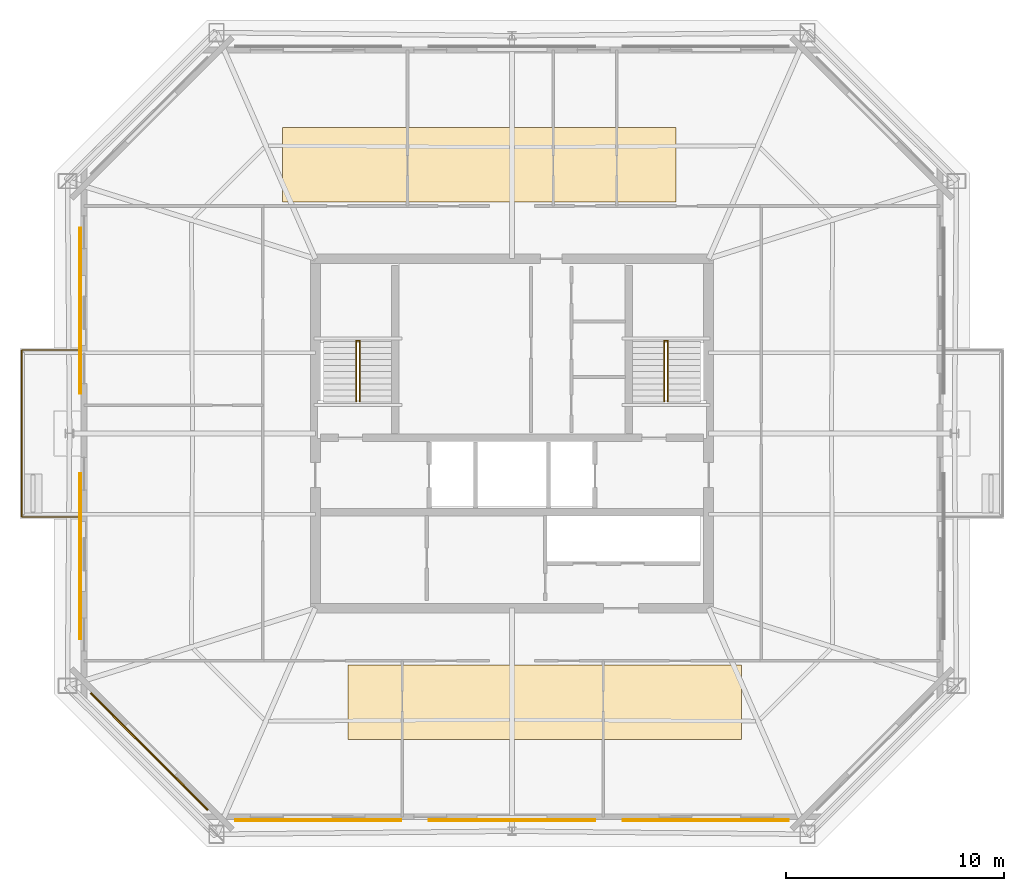
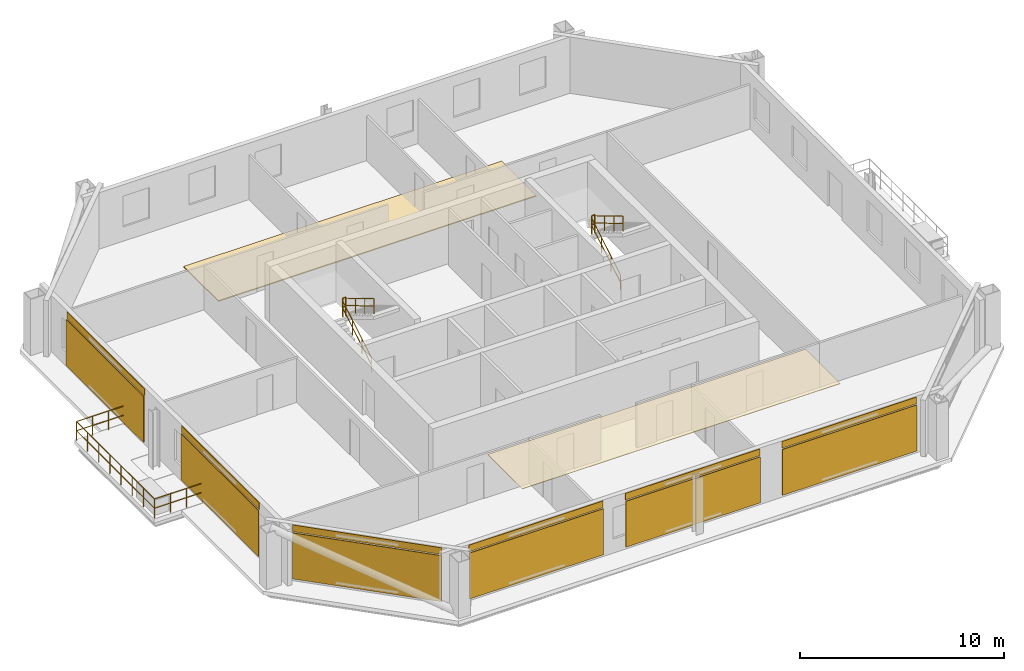
# One storey, part 6 of 7: 8 coverings, 7 railings, 6 shading devices.
"""IFC4 building model written with IfcOpenShell, lengths in metres."""

from ifc_helpers import new_model, si_unit, direction, frame, origin, origin_2d, place, context, subcontext, project, spatial, polyline, rectangle, circle, outline, extrude, material, layer, layer_set, type_object, element, save


model = new_model("IFC4")

# Units and contexts
model_context = context("Model", 3, precision=1e-05, world=origin(), true_north=direction((0.0, 1.0)))
body_context = subcontext(model_context, "Body", "Model", "MODEL_VIEW")
ifc_project = project(units=[si_unit("LENGTHUNIT", "METRE"), si_unit("AREAUNIT", "SQUARE_METRE"), si_unit("VOLUMEUNIT", "CUBIC_METRE"), si_unit("PLANEANGLEUNIT", "RADIAN"), si_unit("MASSUNIT", "GRAM", prefix="KILO")], contexts=[model_context])

# Site, building, storey
site_placement = place(None, origin())
site = spatial("IfcSite", under=ifc_project, at=site_placement, CompositionType="ELEMENT")
building_placement = place(site_placement, origin())
building = spatial("IfcBuilding", under=site, at=building_placement, Name="Caelvoria Tower", CompositionType="ELEMENT")
storey_placement = place(building_placement, frame((0.0, 0.0, 223.800048828125)))
storey = spatial("IfcBuildingStorey", under=building, at=storey_placement, Name="L59", CompositionType="ELEMENT", Elevation=223.800048828125)

# Railing
ifc_material_1 = material(Name="Bronze Anodised Aluminium and Stainless Steel", Category="steel")
railing_type_1 = type_object("IfcRailingType", Name="Exterior Terrace and Balcony Guardrail 1150", PredefinedType="GUARDRAIL", material=ifc_material_1)
railing_1_placement = place(storey_placement, frame((26.267333984375, 28.179931640625, 0.0)))
element("IfcRailing", 1, at=railing_1_placement, inside=storey, type_object=railing_type_1, Name="Tree Balcony Guardrail TB-L59-W", PredefinedType="GUARDRAIL", context=body_context, shape_type="SweptSolid", body=[
    extrude(circle(Radius=0.02392578125, at=origin_2d()), frame((0.0, 0.0, 1.1259765625), z_axis=(-1.0, 0.0, 0.0), x_axis=(0.0, -1.0, 0.0)), (0.0, 0.0, 1.0), 2.7099609375),
    extrude(circle(Radius=0.02392578125, at=origin_2d()), frame((0.0, 0.0, 0.574951171875), z_axis=(-1.0, 0.0, 0.0), x_axis=(0.0, -1.0, 0.0)), (0.0, 0.0, 1.0), 2.7099609375),
    extrude(circle(Radius=0.02392578125, at=origin_2d()), frame((-2.7099609375, 0.0, 1.1259765625), z_axis=(0.0, 1.0, 0.0), x_axis=(-1.0, 0.0, 0.0)), (0.0, 0.0, 1.0), 7.64013671875),
    extrude(circle(Radius=0.02392578125, at=origin_2d()), frame((-2.7099609375, 0.0, 0.574951171875), z_axis=(0.0, 1.0, 0.0), x_axis=(-1.0, 0.0, 0.0)), (0.0, 0.0, 1.0), 7.64013671875),
    extrude(circle(Radius=0.02392578125, at=origin_2d()), frame((-2.7099609375, 7.64013671875, 1.1259765625), z_axis=(1.0, 0.0, 0.0), x_axis=(0.0, 1.0, 0.0)), (0.0, 0.0, 1.0), 2.7099609375),
    extrude(circle(Radius=0.02392578125, at=origin_2d()), frame((-2.7099609375, 7.64013671875, 0.574951171875), z_axis=(1.0, 0.0, 0.0), x_axis=(0.0, 1.0, 0.0)), (0.0, 0.0, 1.0), 2.7099609375),
    extrude(circle(Radius=0.02099609375, at=origin_2d()), origin(), (0.0, 0.0, 1.0), 1.101806640625),
    extrude(circle(Radius=0.02099609375, at=origin_2d()), frame((-0.9033203125, 0.0, 0.0)), (0.0, 0.0, 1.0), 1.101806640625),
    extrude(circle(Radius=0.02099609375, at=origin_2d()), frame((-1.806640625, 0.0, 0.0)), (0.0, 0.0, 1.0), 1.101806640625),
    extrude(circle(Radius=0.02099609375, at=origin_2d()), frame((-2.7099609375, 0.0, 0.0)), (0.0, 0.0, 1.0), 1.101806640625),
    extrude(circle(Radius=0.02099609375, at=origin_2d()), frame((-2.7099609375, 1.091552734375, 0.0)), (0.0, 0.0, 1.0), 1.101806640625),
    extrude(circle(Radius=0.02099609375, at=origin_2d()), frame((-2.7099609375, 2.182861328125, 0.0)), (0.0, 0.0, 1.0), 1.101806640625),
    extrude(circle(Radius=0.02099609375, at=origin_2d()), frame((-2.7099609375, 3.2744140625, 0.0)), (0.0, 0.0, 1.0), 1.101806640625),
    extrude(circle(Radius=0.02099609375, at=origin_2d()), frame((-2.7099609375, 4.36572265625, 0.0)), (0.0, 0.0, 1.0), 1.101806640625),
    extrude(circle(Radius=0.02099609375, at=origin_2d()), frame((-2.7099609375, 5.457275390625, 0.0)), (0.0, 0.0, 1.0), 1.101806640625),
    extrude(circle(Radius=0.02099609375, at=origin_2d()), frame((-2.7099609375, 6.548583984375, 0.0)), (0.0, 0.0, 1.0), 1.101806640625),
    extrude(circle(Radius=0.02099609375, at=origin_2d()), frame((-2.7099609375, 7.64013671875, 0.0)), (0.0, 0.0, 1.0), 1.101806640625),
    extrude(circle(Radius=0.02099609375, at=origin_2d()), frame((-1.806640625, 7.64013671875, 0.0)), (0.0, 0.0, 1.0), 1.101806640625),
    extrude(circle(Radius=0.02099609375, at=origin_2d()), frame((-0.9033203125, 7.64013671875, 0.0)), (0.0, 0.0, 1.0), 1.101806640625),
    extrude(circle(Radius=0.02099609375, at=origin_2d()), frame((0.0, 7.64013671875, 0.0)), (0.0, 0.0, 1.0), 1.101806640625),
])

# Coverings
ifc_material_2 = material(Name="Acoustic Mineral Fibre Tile", Category="gypsum")
ifc_layer_1 = layer(ifc_material_2, 0.02490234375, Name="Acoustic Mineral Fibre Tile")
ifc_layer_set_1 = layer_set([ifc_layer_1], Name="Mineral-Fibre Acoustic Suspended Ceiling 25 - Acoustic Mineral Fibre Tile")
covering_type_1 = type_object("IfcCoveringType", Name="Mineral-Fibre Acoustic Suspended Ceiling 25", PredefinedType="CEILING", material=ifc_layer_set_1)
covering_1_placement = place(storey_placement, frame((0.0, 0.0, 2.64990234375)))
element("IfcCovering", 2, at=covering_1_placement, inside=storey, type_object=covering_type_1, Name="Suspended Acoustic Ceiling L59", PredefinedType="CEILING", context=body_context, shape_type="SweptSolid", body=[
    extrude(outline(polyline([(38.5, 18.0), (56.5, 18.0), (56.5, 21.39990234375), (38.5, 21.39990234375), (38.5, 18.0)])), origin(), (0.0, 0.0, 1.0), 0.025146484375),
])
ifc_material_3 = material(Name="Perforated Architectural Bronze Cladding Screen", Category="bronze")
ifc_layer_2 = layer(ifc_material_3, 0.0400390625, Name="Perforated Architectural Bronze Cladding Screen")
ifc_layer_set_2 = layer_set([ifc_layer_2], Name="Perforated Bronze Louvre Cladding Band 40 - Perforated Architectural Bronze Cladding Screen")
covering_type_2 = type_object("IfcCoveringType", Name="Perforated Bronze Louvre Cladding Band 40", PredefinedType="CLADDING", material=ifc_layer_set_2)
for number, where, z_axis, x_axis, name in (
    (3, (37.136962890625, 14.30810546875, 2.955078125), (0.0, 0.0, 1.0), (1.0, 0.0, 0.0), "Perforated Bronze Screen Band L59-E0-00"),
    (4, (46.0, 14.30810546875, 2.955078125), (0.0, 0.0, 1.0), (1.0, 0.0, 0.0), "Perforated Bronze Screen Band L59-E0-01"),
    (5, (54.863037109375, 14.30810546875, 2.955078125), (0.0, 0.0, 1.0), (1.0, 0.0, 0.0), "Perforated Bronze Screen Band L59-E0-02"),
    (6, (26.2626953125, 37.62451171875, 2.955078125), (0.0, 0.0, 1.0), (0.0, -1.0, 0.0), "Perforated Bronze Screen Band L59-E6-00"),
    (7, (26.2626953125, 26.37548828125, 2.955078125), (0.0, 0.0, 1.0), (0.0, -1.0, 0.0), "Perforated Bronze Screen Band L59-E6-01"),
):
    element("IfcCovering", number, at=place(storey_placement, frame(where, z_axis=z_axis, x_axis=x_axis)), inside=storey, type_object=covering_type_2, Name=name, PredefinedType="CLADDING", context=body_context, shape_type="SweptSolid", body=[
        extrude(rectangle(XDim=7.60009765625, YDim=0.0400390625, at=origin_2d()), origin(), (0.0, 0.0, 1.0), 0.39990234375),
    ])
covering_2_placement = place(storey_placement, frame((29.409912109375, 17.455322265625, 2.955078125), z_axis=(0.0, 0.0, 1.0), x_axis=(0.707106781187, -0.707106781187, 0.0)))
element("IfcCovering", 8, at=covering_2_placement, inside=storey, type_object=covering_type_2, Name="Perforated Bronze Screen Band L59-E7-00", PredefinedType="CLADDING", context=body_context, shape_type="SweptSolid", body=[
    extrude(rectangle(XDim=7.572509765625, YDim=0.0400390625, at=origin_2d()), origin(), (0.0, 0.0, 1.0), 0.39990234375),
])

# Shading devices
ifc_material_4 = material(Name="Perforated Architectural Bronze Alloy Panel", Category="bronze")
ifc_layer_3 = layer(ifc_material_4, 0.044921875, Name="Perforated Architectural Bronze Alloy Panel")
ifc_layer_set_3 = layer_set([ifc_layer_3], Name="Perforated Bronze Solar Screen Panel SCREEN - Perforated Architectural Bronze Alloy Panel")
shading_device_type = type_object("IfcShadingDeviceType", Name="Perforated Bronze Solar Screen Panel SCREEN", PredefinedType="USERDEFINED", material=ifc_layer_set_3)
for number, where, z_axis, x_axis, name in (
    (9, (37.136962890625, 14.26513671875, 0.159912109375), (0.0, 0.0, 1.0), (1.0, 0.0, 0.0), "Perforated Bronze Solar Screen L59-E0-00"),
    (10, (46.0, 14.26513671875, 0.159912109375), (0.0, 0.0, 1.0), (1.0, 0.0, 0.0), "Perforated Bronze Solar Screen L59-E0-01"),
    (11, (54.863037109375, 14.26513671875, 0.159912109375), (0.0, 0.0, 1.0), (1.0, 0.0, 0.0), "Perforated Bronze Solar Screen L59-E0-02"),
    (12, (26.2197265625, 37.62451171875, 0.159912109375), (0.0, 0.0, 1.0), (0.0, -1.0, 0.0), "Perforated Bronze Solar Screen L59-E6-00"),
    (13, (26.2197265625, 26.37548828125, 0.159912109375), (0.0, 0.0, 1.0), (0.0, -1.0, 0.0), "Perforated Bronze Solar Screen L59-E6-01"),
):
    element("IfcShadingDevice", number, at=place(storey_placement, frame(where, z_axis=z_axis, x_axis=x_axis)), inside=storey, type_object=shading_device_type, Name=name, ObjectType="SCREEN", PredefinedType="USERDEFINED", context=body_context, shape_type="SweptSolid", body=[
        extrude(rectangle(XDim=7.60009765625, YDim=0.044921875, at=origin_2d()), origin(), (0.0, 0.0, 1.0), 2.75),
    ])
shading_device_placement = place(storey_placement, frame((29.379638671875, 17.425048828125, 0.159912109375), z_axis=(0.0, 0.0, 1.0), x_axis=(0.707106781187, -0.707106781187, 0.0)))
element("IfcShadingDevice", 14, at=shading_device_placement, inside=storey, type_object=shading_device_type, Name="Perforated Bronze Solar Screen L59-E7-00", ObjectType="SCREEN", PredefinedType="USERDEFINED", context=body_context, shape_type="SweptSolid", body=[
    extrude(rectangle(XDim=7.572509765625, YDim=0.044921875, at=origin_2d()), origin(), (0.0, 0.0, 1.0), 2.75),
])

# Covering
ifc_material_5 = material(Name="Calcium-Sulphate Raised Floor Tile", Category="gypsum")
ifc_layer_4 = layer(ifc_material_5, 0.06005859375, Name="Calcium-Sulphate Raised Floor Tile")
ifc_layer_set_4 = layer_set([ifc_layer_4], Name="Raised Access Office Floor System 120 - Calcium-Sulphate Raised Floor Tile")
covering_type_3 = type_object("IfcCoveringType", Name="Raised Access Office Floor System 120", PredefinedType="FLOORING", material=ifc_layer_set_4)
covering_3_placement = place(storey_placement, origin())
element("IfcCovering", 15, at=covering_3_placement, inside=storey, type_object=covering_type_3, Name="Raised Access Flooring L59", PredefinedType="FLOORING", context=body_context, shape_type="SweptSolid", body=[
    extrude(outline(polyline([(35.5, 42.60009765625), (53.5, 42.60009765625), (53.5, 46.0), (35.5, 46.0), (35.5, 42.60009765625)])), origin(), (0.0, 0.0, 1.0), 0.06005859375),
])

# Railings
ifc_material_6 = material(Name="Brushed Stainless Steel Tube", Category="steel")
railing_type_2 = type_object("IfcRailingType", Name="Stair Tubular Stainless Handrail 920", PredefinedType="HANDRAIL", material=ifc_material_6)
railing_2_placement = place(storey_placement, frame((38.8701171875, 33.449951171875, 0.16357421875)))
element("IfcRailing", 16, at=railing_2_placement, inside=storey, type_object=railing_type_2, Name="ST-01 Flight 1 Handrail L59", PredefinedType="HANDRAIL", context=body_context, shape_type="SweptSolid", body=[
    extrude(circle(Radius=0.02392578125, at=origin_2d()), frame((0.0, 0.0, 0.89599609375), z_axis=(0.0, 0.859351957796, 0.511384603436), x_axis=(-1.0, 0.0, 0.0)), (0.0, 0.0, 1.0), 3.2001953125),
    extrude(circle(Radius=0.02392578125, at=origin_2d()), frame((0.0, 0.0, 0.4599609375), z_axis=(0.0, 0.859351957796, 0.511384603436), x_axis=(-1.0, 0.0, 0.0)), (0.0, 0.0, 1.0), 3.2001953125),
    extrude(circle(Radius=0.02099609375, at=origin_2d()), origin(), (0.0, 0.0, 1.0), 0.871826171875),
    extrude(circle(Radius=0.02099609375, at=origin_2d()), frame((0.0, 0.916748046875, 0.54541015625)), (0.0, 0.0, 1.0), 0.871826171875),
    extrude(circle(Radius=0.02099609375, at=origin_2d()), frame((0.0, 1.833251953125, 1.091064453125)), (0.0, 0.0, 1.0), 0.871826171875),
    extrude(circle(Radius=0.02099609375, at=origin_2d()), frame((0.0, 2.75, 1.636474609375)), (0.0, 0.0, 1.0), 0.871826171875),
])
railing_3_placement = place(storey_placement, frame((39.030029296875, 36.199951171875, 1.963623046875)))
element("IfcRailing", 17, at=railing_3_placement, inside=storey, type_object=railing_type_2, Name="ST-01 Flight 2 Handrail L59", PredefinedType="HANDRAIL", context=body_context, shape_type="SweptSolid", body=[
    extrude(circle(Radius=0.02392578125, at=origin_2d()), frame((0.0, 0.0, 0.89599609375), z_axis=(0.0, -0.859385484447, 0.511328259656), x_axis=(1.0, 0.0, 0.0)), (0.0, 0.0, 1.0), 3.199951171875),
    extrude(circle(Radius=0.02392578125, at=origin_2d()), frame((0.0, 0.0, 0.4599609375), z_axis=(0.0, -0.859385484447, 0.511328259656), x_axis=(1.0, 0.0, 0.0)), (0.0, 0.0, 1.0), 3.199951171875),
    extrude(circle(Radius=0.02099609375, at=origin_2d()), origin(), (0.0, 0.0, 1.0), 0.871826171875),
    extrude(circle(Radius=0.02099609375, at=origin_2d()), frame((0.0, -0.916748046875, 0.54541015625)), (0.0, 0.0, 1.0), 0.871826171875),
    extrude(circle(Radius=0.02099609375, at=origin_2d()), frame((0.0, -1.833251953125, 1.0908203125)), (0.0, 0.0, 1.0), 0.871826171875),
    extrude(circle(Radius=0.02099609375, at=origin_2d()), frame((0.0, -2.75, 1.63623046875)), (0.0, 0.0, 1.0), 0.871826171875),
])
railing_4_placement = place(storey_placement, frame((52.969970703125, 33.449951171875, 0.16357421875)))
element("IfcRailing", 18, at=railing_4_placement, inside=storey, type_object=railing_type_2, Name="ST-02 Flight 1 Handrail L59", PredefinedType="HANDRAIL", context=body_context, shape_type="SweptSolid", body=[
    extrude(circle(Radius=0.02392578125, at=origin_2d()), frame((0.0, 0.0, 0.89599609375), z_axis=(0.0, 0.859351957796, 0.511384603436), x_axis=(-1.0, 0.0, 0.0)), (0.0, 0.0, 1.0), 3.2001953125),
    extrude(circle(Radius=0.02392578125, at=origin_2d()), frame((0.0, 0.0, 0.4599609375), z_axis=(0.0, 0.859351957796, 0.511384603436), x_axis=(-1.0, 0.0, 0.0)), (0.0, 0.0, 1.0), 3.2001953125),
    extrude(circle(Radius=0.02099609375, at=origin_2d()), origin(), (0.0, 0.0, 1.0), 0.871826171875),
    extrude(circle(Radius=0.02099609375, at=origin_2d()), frame((0.0, 0.916748046875, 0.54541015625)), (0.0, 0.0, 1.0), 0.871826171875),
    extrude(circle(Radius=0.02099609375, at=origin_2d()), frame((0.0, 1.833251953125, 1.091064453125)), (0.0, 0.0, 1.0), 0.871826171875),
    extrude(circle(Radius=0.02099609375, at=origin_2d()), frame((0.0, 2.75, 1.636474609375)), (0.0, 0.0, 1.0), 0.871826171875),
])
railing_5_placement = place(storey_placement, frame((53.1298828125, 36.199951171875, 1.963623046875)))
element("IfcRailing", 19, at=railing_5_placement, inside=storey, type_object=railing_type_2, Name="ST-02 Flight 2 Handrail L59", PredefinedType="HANDRAIL", context=body_context, shape_type="SweptSolid", body=[
    extrude(circle(Radius=0.02392578125, at=origin_2d()), frame((0.0, 0.0, 0.89599609375), z_axis=(0.0, -0.859385484447, 0.511328259656), x_axis=(1.0, 0.0, 0.0)), (0.0, 0.0, 1.0), 3.199951171875),
    extrude(circle(Radius=0.02392578125, at=origin_2d()), frame((0.0, 0.0, 0.4599609375), z_axis=(0.0, -0.859385484447, 0.511328259656), x_axis=(1.0, 0.0, 0.0)), (0.0, 0.0, 1.0), 3.199951171875),
    extrude(circle(Radius=0.02099609375, at=origin_2d()), origin(), (0.0, 0.0, 1.0), 0.871826171875),
    extrude(circle(Radius=0.02099609375, at=origin_2d()), frame((0.0, -0.916748046875, 0.54541015625)), (0.0, 0.0, 1.0), 0.871826171875),
    extrude(circle(Radius=0.02099609375, at=origin_2d()), frame((0.0, -1.833251953125, 1.0908203125)), (0.0, 0.0, 1.0), 0.871826171875),
    extrude(circle(Radius=0.02099609375, at=origin_2d()), frame((0.0, -2.75, 1.63623046875)), (0.0, 0.0, 1.0), 0.871826171875),
])
ifc_material_7 = material(Name="Brushed Stainless Steel Guardrail", Category="steel")
railing_type_3 = type_object("IfcRailingType", Name="Stair Well and Ramp Guardrail 1120", PredefinedType="GUARDRAIL", material=ifc_material_7)
for number, where, name in (
    (20, (38.8701171875, 36.239990234375, 1.800048828125), "ST-01 Half-Landing Well Guard L59"),
    (21, (52.969970703125, 36.239990234375, 1.800048828125), "ST-02 Half-Landing Well Guard L59"),
):
    element("IfcRailing", number, at=place(storey_placement, frame(where)), inside=storey, type_object=railing_type_3, Name=name, PredefinedType="GUARDRAIL", context=body_context, shape_type="SweptSolid", body=[
        extrude(circle(Radius=0.02392578125, at=origin_2d()), frame((0.0, 0.0, 1.09619140625), z_axis=(1.0, 0.0, 0.0), x_axis=(0.0, 1.0, 0.0)), (0.0, 0.0, 1.0), 0.159912109375),
        extrude(circle(Radius=0.02392578125, at=origin_2d()), frame((0.0, 0.0, 0.56005859375), z_axis=(1.0, 0.0, 0.0), x_axis=(0.0, 1.0, 0.0)), (0.0, 0.0, 1.0), 0.159912109375),
        extrude(circle(Radius=0.02099609375, at=origin_2d()), origin(), (0.0, 0.0, 1.0), 1.072021484375),
        extrude(circle(Radius=0.02099609375, at=origin_2d()), frame((0.159912109375, 0.0, 0.0)), (0.0, 0.0, 1.0), 1.072021484375),
    ])

save(model, "model.ifc")
